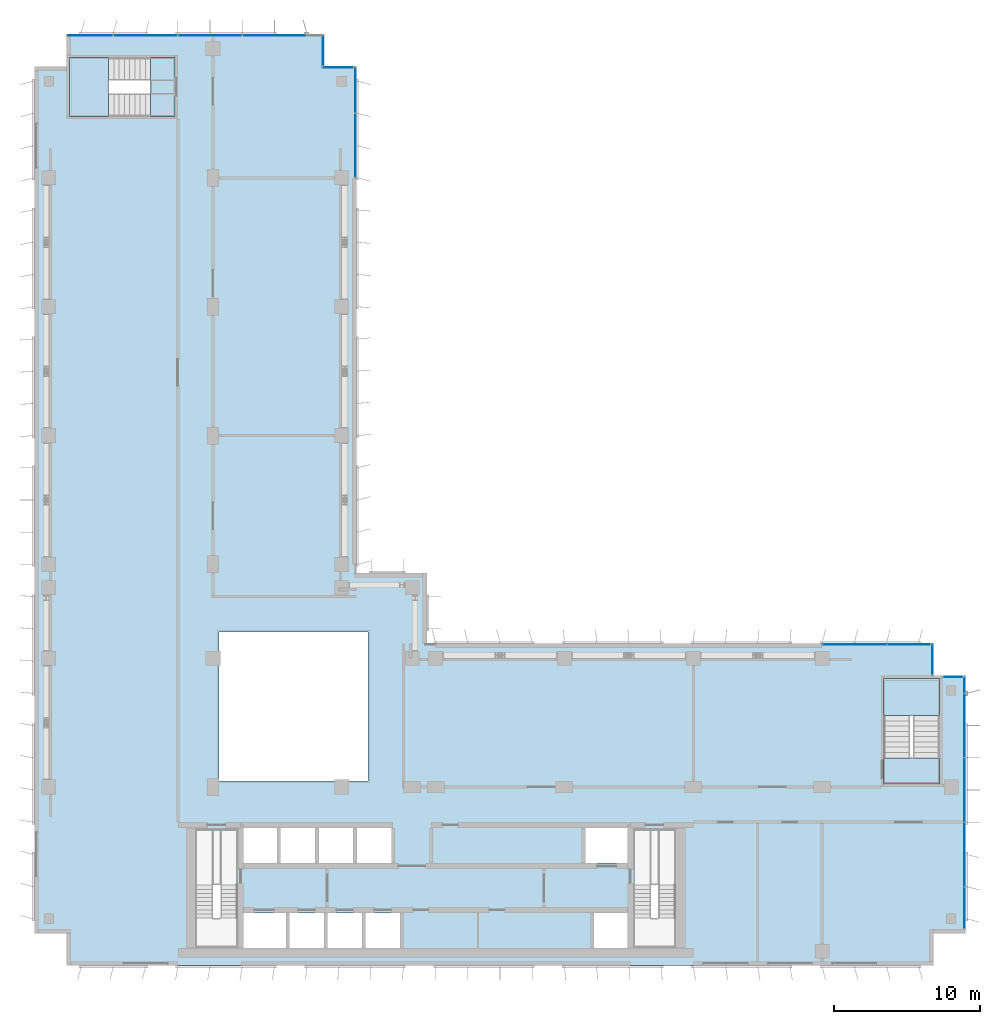
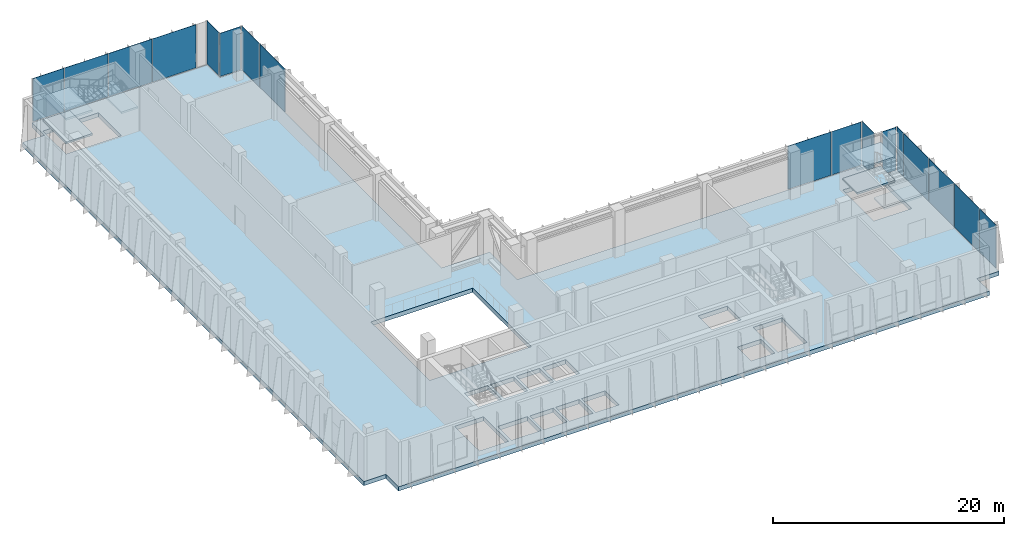
# One storey, part 10 of 17: 17 plates, 7 slabs, 10 elements without a shape of their own.
"""IFC4 building model written with IfcOpenShell, lengths in metres."""

from ifc_helpers import new_model, si_unit, direction, frame, origin, origin_2d, place, context, subcontext, project, spatial, polyline, rectangle, outline, extrude, source, transform, mapped, material, layer, layer_set, type_object, element, aggregate, save


model = new_model("IFC4")

# Units and contexts
model_context = context("Model", 3, precision=1e-05, world=origin(), true_north=direction((0.0, 1.0)))
body_context = subcontext(model_context, "Body", "Model", "MODEL_VIEW")
ifc_project = project(units=[si_unit("LENGTHUNIT", "METRE"), si_unit("AREAUNIT", "SQUARE_METRE"), si_unit("VOLUMEUNIT", "CUBIC_METRE"), si_unit("PLANEANGLEUNIT", "RADIAN"), si_unit("MASSUNIT", "GRAM", prefix="KILO")], contexts=[model_context])

# Site, building, storey
site_placement = place(None, origin())
site = spatial("IfcSite", under=ifc_project, at=site_placement, CompositionType="ELEMENT")
building_placement = place(site_placement, origin())
building = spatial("IfcBuilding", under=site, at=building_placement, Name="Kemantara Hotel Tower", CompositionType="ELEMENT")
storey_placement = place(building_placement, frame((0.0, 0.0, 193.800048828125)))
storey = spatial("IfcBuildingStorey", under=building, at=storey_placement, Name="L48", CompositionType="ELEMENT", Elevation=193.800048828125)

# Slab
ifc_material_1 = material(Name="Concrete fc 40 MPa", Category="concrete")
ifc_layer_1 = layer(ifc_material_1, 0.449951171875)
ifc_layer_set_1 = layer_set([ifc_layer_1], Name="Concrete fc 40 MPa")
slab_type_1 = type_object("IfcSlabType", Name="REINFORCED DIAPHRAGM SLAB 450", PredefinedType="FLOOR", material=ifc_layer_set_1)
slab_1_placement = place(storey_placement, frame((0.0, 0.0, -0.449951171875)))
element("IfcSlab", 1, at=slab_1_placement, inside=storey, type_object=slab_type_1, Name="FLOOR SLAB L48", PredefinedType="FLOOR", context=body_context, shape_type="SweptSolid", body=[
    extrude(outline(polyline([(22.0, 26.800048828125), (22.0, 61.39990234375), (19.800048828125, 61.39990234375), (19.800048828125, 63.60009765625), (2.199951171875, 63.60009765625), (2.199951171875, 61.39990234375), (0.0, 61.39990234375), (0.0, 2.199951171875), (2.199951171875, 2.199951171875), (2.199951171875, 0.0), (61.39990234375, 0.0), (61.39990234375, 2.199951171875), (63.60009765625, 2.199951171875), (63.60009765625, 19.800048828125), (61.39990234375, 19.800048828125), (61.39990234375, 22.0), (26.800048828125, 22.0), (26.800048828125, 26.800048828125), (22.0, 26.800048828125)]), holes=[polyline([(17.175048828125, 3.60009765625), (17.175048828125, 1.199951171875), (14.22509765625, 1.199951171875), (14.22509765625, 3.60009765625), (17.175048828125, 3.60009765625)]), polyline([(19.77490234375, 1.199951171875), (17.425048828125, 1.199951171875), (17.425048828125, 3.60009765625), (19.77490234375, 3.60009765625), (19.77490234375, 1.199951171875)]), polyline([(11.0, 1.199951171875), (11.0, 5.49951171875), (13.89990234375, 5.49951171875), (13.89990234375, 1.199951171875), (11.0, 1.199951171875)]), polyline([(16.574951171875, 7.0), (14.22509765625, 7.0), (14.22509765625, 9.39990234375), (16.574951171875, 9.39990234375), (16.574951171875, 7.0)]), polyline([(19.175048828125, 7.0), (16.824951171875, 7.0), (16.824951171875, 9.39990234375), (19.175048828125, 9.39990234375), (19.175048828125, 7.0)]), polyline([(21.77490234375, 7.0), (19.425048828125, 7.0), (19.425048828125, 9.39990234375), (21.77490234375, 9.39990234375), (21.77490234375, 7.0)]), polyline([(22.800048828125, 12.60009765625), (12.60009765625, 12.60009765625), (12.60009765625, 22.800048828125), (22.800048828125, 22.800048828125), (22.800048828125, 12.60009765625)]), polyline([(2.39990234375, 62.0), (7.949462890625, 62.0), (7.949462890625, 58.0), (2.39990234375, 58.0), (2.39990234375, 62.0)]), polyline([(22.375, 1.199951171875), (20.02490234375, 1.199951171875), (20.02490234375, 3.60009765625), (22.375, 3.60009765625), (22.375, 1.199951171875)]), polyline([(24.97509765625, 1.199951171875), (22.625, 1.199951171875), (22.625, 3.60009765625), (24.97509765625, 3.60009765625), (24.97509765625, 1.199951171875)]), polyline([(40.574951171875, 1.199951171875), (38.22509765625, 1.199951171875), (38.22509765625, 3.60009765625), (40.574951171875, 3.60009765625), (40.574951171875, 1.199951171875)]), polyline([(40.89990234375, 1.199951171875), (40.89990234375, 5.49951171875), (43.800048828125, 5.49951171875), (43.800048828125, 1.199951171875), (40.89990234375, 1.199951171875)]), polyline([(24.375, 7.0), (22.02490234375, 7.0), (22.02490234375, 9.39990234375), (24.375, 9.39990234375), (24.375, 7.0)]), polyline([(40.574951171875, 7.0), (37.625, 7.0), (37.625, 9.39990234375), (40.574951171875, 9.39990234375), (40.574951171875, 7.0)]), polyline([(61.800048828125, 19.60009765625), (61.800048828125, 14.20068359375), (58.0, 14.20068359375), (58.0, 19.60009765625), (61.800048828125, 19.60009765625)])]), origin(), (0.0, 0.0, 1.0), 0.449951171875),
])

# Stair, slabs
stair_type_1 = type_object("IfcStairType", Name="Stair 1800 wide 36 risers of 139 x 360 mm", PredefinedType="HALF_TURN_STAIR", material=ifc_material_1)
stair_1_placement = place(storey_placement, origin())
stair_1 = element("IfcStair", 2, at=stair_1_placement, inside=storey, type_object=stair_type_1, Name="L48 Exit stair ST3", PredefinedType="HALF_TURN_STAIR")
ifc_layer_2 = layer(ifc_material_1, 0.199951171875)
ifc_layer_set_2 = layer_set([ifc_layer_2], Name="Concrete fc 40 MPa")
slab_type_2 = type_object("IfcSlabType", Name="Stair landing 200 mm", PredefinedType="LANDING", material=ifc_layer_set_2)
slab_2_placement = place(storey_placement, frame((0.0, 0.0, 1.050048828125)))
slab_2 = element("IfcSlab", 3, at=slab_2_placement, type_object=slab_type_2, Name="ST3 landing 1", PredefinedType="LANDING", context=body_context, shape_type="SweptSolid", body=[
    extrude(outline(polyline([(61.800048828125, 17.080078125), (61.800048828125, 19.60009765625), (58.0, 19.60009765625), (58.0, 17.080078125), (61.800048828125, 17.080078125)])), origin(), (0.0, 0.0, 1.0), 0.199951171875),
])
slab_3_placement = place(storey_placement, frame((0.0, 0.0, 2.300048828125)))
slab_3 = element("IfcSlab", 4, at=slab_3_placement, type_object=slab_type_2, Name="ST3 landing 2", PredefinedType="LANDING", context=body_context, shape_type="SweptSolid", body=[
    extrude(outline(polyline([(61.800048828125, 12.39990234375), (61.800048828125, 14.199951171875), (58.0, 14.199951171875), (58.0, 12.39990234375), (61.800048828125, 12.39990234375)])), origin(), (0.0, 0.0, 1.0), 0.199951171875),
])
slab_4_placement = place(storey_placement, frame((0.0, 0.0, 3.550048828125)))
slab_4 = element("IfcSlab", 5, at=slab_4_placement, type_object=slab_type_2, Name="ST3 landing 3", PredefinedType="LANDING", context=body_context, shape_type="SweptSolid", body=[
    extrude(outline(polyline([(61.800048828125, 17.080078125), (61.800048828125, 19.60009765625), (58.0, 19.60009765625), (58.0, 17.080078125), (61.800048828125, 17.080078125)])), origin(), (0.0, 0.0, 1.0), 0.199951171875),
])
aggregate(stair_1, [slab_2, slab_3, slab_4])

stair_type_2 = type_object("IfcStairType", Name="Stair 1550 wide 36 risers of 139 x 360 mm", PredefinedType="HALF_TURN_STAIR", material=ifc_material_1)
stair_2_placement = place(storey_placement, origin())
stair_2 = element("IfcStair", 6, at=stair_2_placement, inside=storey, type_object=stair_type_2, Name="L48 Exit stair ST4", PredefinedType="HALF_TURN_STAIR")
slab_5_placement = place(storey_placement, frame((0.0, 0.0, 1.050048828125)))
slab_5 = element("IfcSlab", 7, at=slab_5_placement, type_object=slab_type_2, Name="ST4 landing 1", PredefinedType="LANDING", context=body_context, shape_type="SweptSolid", body=[
    extrude(outline(polyline([(5.070068359375, 62.0), (2.39990234375, 62.0), (2.39990234375, 58.0), (5.070068359375, 58.0), (5.070068359375, 62.0)])), origin(), (0.0, 0.0, 1.0), 0.199951171875),
])
slab_6_placement = place(storey_placement, frame((0.0, 0.0, 2.300048828125)))
slab_6 = element("IfcSlab", 8, at=slab_6_placement, type_object=slab_type_2, Name="ST4 landing 2", PredefinedType="LANDING", context=body_context, shape_type="SweptSolid", body=[
    extrude(outline(polyline([(9.60009765625, 62.0), (7.949951171875, 62.0), (7.949951171875, 58.0), (9.60009765625, 58.0), (9.60009765625, 62.0)])), origin(), (0.0, 0.0, 1.0), 0.199951171875),
])
slab_7_placement = place(storey_placement, frame((0.0, 0.0, 3.550048828125)))
slab_7 = element("IfcSlab", 9, at=slab_7_placement, type_object=slab_type_2, Name="ST4 landing 3", PredefinedType="LANDING", context=body_context, shape_type="SweptSolid", body=[
    extrude(outline(polyline([(5.070068359375, 62.0), (2.39990234375, 62.0), (2.39990234375, 58.0), (5.070068359375, 58.0), (5.070068359375, 62.0)])), origin(), (0.0, 0.0, 1.0), 0.199951171875),
])
aggregate(stair_2, [slab_5, slab_6, slab_7])

# Curtain wall, plate
ifc_material_2 = material(Name="Low-E tinted double insulated glass 36 mm", Category="glass")
curtain_wall_type = type_object("IfcCurtainWallType", Name="TOWER CURTAIN WALL, FRONT FACES", PredefinedType="USERDEFINED", material=ifc_material_2)
curtain_wall_1_placement = place(storey_placement, origin())
curtain_wall_1 = element("IfcCurtainWall", 10, at=curtain_wall_1_placement, inside=storey, type_object=curtain_wall_type, Name="CW4 L48 T3-R11-1", ObjectType="TOWER CURTAIN WALL, FRONT FACES", PredefinedType="USERDEFINED")
ifc_layer_3 = layer(ifc_material_2, 0.035888671875)
ifc_layer_set_3 = layer_set([ifc_layer_3], Name="Low-E tinted double insulated glass 36 mm")
plate_type = type_object("IfcPlateType", Name="TOWER CURTAIN WALL, FRONT FACES PANEL", PredefinedType="CURTAIN_PANEL", material=ifc_layer_set_3)
shared_shape_1 = source(origin(), body_context, "Body", "SweptSolid", [
    extrude(rectangle(XDim=2.81005859375, YDim=0.035888671875, at=origin_2d()), origin(), (0.0, 0.0, 1.0), 4.580078125),
])
plate_1_placement = place(storey_placement, frame((63.52490234375, 3.965087890625, 0.119873046875), z_axis=(0.0, 0.0, 1.0), x_axis=(0.0, 1.0, 0.0)))
plate_1 = element("IfcPlate", 11, at=plate_1_placement, type_object=plate_type, Name="CW4 glass panel T3-R11-1.1", PredefinedType="CURTAIN_PANEL", context=body_context, shape_type="MappedRepresentation", body=[
    mapped(shared_shape_1, transform((0.0, 0.0, 0.0))),
])

# Curtain wall, plates
curtain_wall_2_placement = place(storey_placement, origin())
curtain_wall_2 = element("IfcCurtainWall", 12, at=curtain_wall_2_placement, inside=storey, type_object=curtain_wall_type, Name="CW4 L48 T3-R02-1", ObjectType="TOWER CURTAIN WALL, FRONT FACES", PredefinedType="USERDEFINED")
shared_shape_2 = source(origin(), body_context, "Body", "SweptSolid", [
    extrude(rectangle(XDim=4.340087890625, YDim=0.035888671875, at=origin_2d()), origin(), (0.0, 0.0, 1.0), 4.580078125),
])
plate_2_placement = place(storey_placement, frame((16.39990234375, 63.52490234375, 0.119873046875), z_axis=(0.0, 0.0, 1.0), x_axis=(-1.0, 0.0, 0.0)))
plate_2 = element("IfcPlate", 13, at=plate_2_placement, type_object=plate_type, Name="CW4 glass panel T3-R02-1.2", PredefinedType="CURTAIN_PANEL", context=body_context, shape_type="MappedRepresentation", body=[
    mapped(shared_shape_2, transform((0.0, 0.0, 0.0))),
])
plate_3_placement = place(storey_placement, frame((12.0, 63.52490234375, 0.119873046875), z_axis=(0.0, 0.0, 1.0), x_axis=(-1.0, 0.0, 0.0)))
plate_3 = element("IfcPlate", 14, at=plate_3_placement, type_object=plate_type, Name="CW4 glass panel T3-R02-1.3", PredefinedType="CURTAIN_PANEL", context=body_context, shape_type="MappedRepresentation", body=[
    mapped(shared_shape_2, transform((0.0, 0.0, 0.0))),
])
plate_4_placement = place(storey_placement, frame((7.60009765625, 63.52490234375, 0.119873046875), z_axis=(0.0, 0.0, 1.0), x_axis=(-1.0, 0.0, 0.0)))
plate_4 = element("IfcPlate", 15, at=plate_4_placement, type_object=plate_type, Name="CW4 glass panel T3-R02-1.4", PredefinedType="CURTAIN_PANEL", context=body_context, shape_type="MappedRepresentation", body=[
    mapped(shared_shape_2, transform((0.0, 0.0, 0.0))),
])

# Plate
plate_5_placement = place(storey_placement, frame((63.52490234375, 7.60009765625, 0.119873046875), z_axis=(0.0, 0.0, 1.0), x_axis=(0.0, 1.0, 0.0)))
plate_5 = element("IfcPlate", 16, at=plate_5_placement, type_object=plate_type, Name="CW4 glass panel T3-R11-1.2", PredefinedType="CURTAIN_PANEL", context=body_context, shape_type="MappedRepresentation", body=[
    mapped(shared_shape_2, transform((0.0, 0.0, 0.0))),
])

plate_6_placement = place(storey_placement, frame((63.52490234375, 12.0, 0.119873046875), z_axis=(0.0, 0.0, 1.0), x_axis=(0.0, 1.0, 0.0)))
plate_6 = element("IfcPlate", 17, at=plate_6_placement, type_object=plate_type, Name="CW4 glass panel T3-R11-1.3", PredefinedType="CURTAIN_PANEL", context=body_context, shape_type="MappedRepresentation", body=[
    mapped(shared_shape_2, transform((0.0, 0.0, 0.0))),
])

plate_7_placement = place(storey_placement, frame((63.52490234375, 16.39990234375, 0.119873046875), z_axis=(0.0, 0.0, 1.0), x_axis=(0.0, 1.0, 0.0)))
plate_7 = element("IfcPlate", 18, at=plate_7_placement, type_object=plate_type, Name="CW4 glass panel T3-R11-1.4", PredefinedType="CURTAIN_PANEL", context=body_context, shape_type="MappedRepresentation", body=[
    mapped(shared_shape_2, transform((0.0, 0.0, 0.0))),
])

# Curtain wall, plate
curtain_wall_3_placement = place(storey_placement, origin())
curtain_wall_3 = element("IfcCurtainWall", 19, at=curtain_wall_3_placement, inside=storey, type_object=curtain_wall_type, Name="CW4 L48 T3-R14-1", ObjectType="TOWER CURTAIN WALL, FRONT FACES", PredefinedType="USERDEFINED")
plate_8_placement = place(storey_placement, frame((56.0, 21.925048828125, 0.119873046875), z_axis=(0.0, 0.0, 1.0), x_axis=(-1.0, 0.0, 0.0)))
plate_8 = element("IfcPlate", 20, at=plate_8_placement, type_object=plate_type, Name="CW4 glass panel T3-R14-1.2", PredefinedType="CURTAIN_PANEL", context=body_context, shape_type="MappedRepresentation", body=[
    mapped(shared_shape_2, transform((0.0, 0.0, 0.0))),
])

curtain_wall_4_placement = place(storey_placement, origin())
curtain_wall_4 = element("IfcCurtainWall", 21, at=curtain_wall_4_placement, inside=storey, type_object=curtain_wall_type, Name="CW4 L48 T3-R17-2", ObjectType="TOWER CURTAIN WALL, FRONT FACES", PredefinedType="USERDEFINED")
plate_9_placement = place(storey_placement, frame((21.925048828125, 56.0, 0.119873046875), z_axis=(0.0, 0.0, 1.0), x_axis=(0.0, 1.0, 0.0)))
plate_9 = element("IfcPlate", 22, at=plate_9_placement, type_object=plate_type, Name="CW4 glass panel T3-R17-2.1", PredefinedType="CURTAIN_PANEL", context=body_context, shape_type="MappedRepresentation", body=[
    mapped(shared_shape_2, transform((0.0, 0.0, 0.0))),
])

# Plate
shared_shape_3 = source(origin(), body_context, "Body", "SweptSolid", [
    extrude(rectangle(XDim=2.9599609375, YDim=0.035888671875, at=origin_2d()), origin(), (0.0, 0.0, 1.0), 4.580078125),
])
plate_10_placement = place(storey_placement, frame((59.7099609375, 21.925048828125, 0.119873046875), z_axis=(0.0, 0.0, 1.0), x_axis=(-1.0, 0.0, 0.0)))
plate_10 = element("IfcPlate", 23, at=plate_10_placement, type_object=plate_type, Name="CW4 glass panel T3-R14-1.1", PredefinedType="CURTAIN_PANEL", context=body_context, shape_type="MappedRepresentation", body=[
    mapped(shared_shape_3, transform((0.0, 0.0, 0.0))),
])

aggregate(curtain_wall_3, [plate_10, plate_8])

shared_shape_4 = source(origin(), body_context, "Body", "SweptSolid", [
    extrude(rectangle(XDim=3.110107421875, YDim=0.035888671875, at=origin_2d()), origin(), (0.0, 0.0, 1.0), 4.580078125),
])
plate_11_placement = place(storey_placement, frame((3.81494140625, 63.52490234375, 0.119873046875), z_axis=(0.0, 0.0, 1.0), x_axis=(-1.0, 0.0, 0.0)))
plate_11 = element("IfcPlate", 24, at=plate_11_placement, type_object=plate_type, Name="CW4 glass panel T3-R02-1.5", PredefinedType="CURTAIN_PANEL", context=body_context, shape_type="MappedRepresentation", body=[
    mapped(shared_shape_4, transform((0.0, 0.0, 0.0))),
])

aggregate(curtain_wall_2, [plate_2, plate_3, plate_4, plate_11])

plate_12_placement = place(storey_placement, frame((21.925048828125, 59.784912109375, 0.119873046875), z_axis=(0.0, 0.0, 1.0), x_axis=(0.0, 1.0, 0.0)))
plate_12 = element("IfcPlate", 25, at=plate_12_placement, type_object=plate_type, Name="CW4 glass panel T3-R17-2.2", PredefinedType="CURTAIN_PANEL", context=body_context, shape_type="MappedRepresentation", body=[
    mapped(shared_shape_4, transform((0.0, 0.0, 0.0))),
])

aggregate(curtain_wall_4, [plate_9, plate_12])

# Curtain wall, plate
curtain_wall_5_placement = place(storey_placement, origin())
curtain_wall_5 = element("IfcCurtainWall", 26, at=curtain_wall_5_placement, inside=storey, type_object=curtain_wall_type, Name="CW4 L48 T3-R00-1", ObjectType="TOWER CURTAIN WALL, FRONT FACES", PredefinedType="USERDEFINED")
shared_shape_5 = source(origin(), body_context, "Body", "SweptSolid", [
    extrude(rectangle(XDim=2.080078125, YDim=0.035888671875, at=origin_2d()), origin(), (0.0, 0.0, 1.0), 4.580078125),
])
plate_13_placement = place(storey_placement, frame((20.75, 61.324951171875, 0.119873046875), z_axis=(0.0, 0.0, 1.0), x_axis=(-1.0, 0.0, 0.0)))
plate_13 = element("IfcPlate", 27, at=plate_13_placement, type_object=plate_type, Name="CW4 glass panel T3-R00-1.1", PredefinedType="CURTAIN_PANEL", context=body_context, shape_type="MappedRepresentation", body=[
    mapped(shared_shape_5, transform((0.0, 0.0, 0.0))),
])
aggregate(curtain_wall_5, [plate_13])

curtain_wall_6_placement = place(storey_placement, origin())
curtain_wall_6 = element("IfcCurtainWall", 28, at=curtain_wall_6_placement, inside=storey, type_object=curtain_wall_type, Name="CW4 L48 T3-R01-1", ObjectType="TOWER CURTAIN WALL, FRONT FACES", PredefinedType="USERDEFINED")
plate_14_placement = place(storey_placement, frame((19.72509765625, 62.5, 0.119873046875), z_axis=(0.0, 0.0, 1.0), x_axis=(0.0, 1.0, 0.0)))
plate_14 = element("IfcPlate", 29, at=plate_14_placement, type_object=plate_type, Name="CW4 glass panel T3-R01-1.1", PredefinedType="CURTAIN_PANEL", context=body_context, shape_type="MappedRepresentation", body=[
    mapped(shared_shape_5, transform((0.0, 0.0, 0.0))),
])
aggregate(curtain_wall_6, [plate_14])

curtain_wall_7_placement = place(storey_placement, origin())
curtain_wall_7 = element("IfcCurtainWall", 30, at=curtain_wall_7_placement, inside=storey, type_object=curtain_wall_type, Name="CW4 L48 T3-R13-1", ObjectType="TOWER CURTAIN WALL, FRONT FACES", PredefinedType="USERDEFINED")
plate_15_placement = place(storey_placement, frame((61.324951171875, 20.89990234375, 0.119873046875), z_axis=(0.0, 0.0, 1.0), x_axis=(0.0, 1.0, 0.0)))
plate_15 = element("IfcPlate", 31, at=plate_15_placement, type_object=plate_type, Name="CW4 glass panel T3-R13-1.1", PredefinedType="CURTAIN_PANEL", context=body_context, shape_type="MappedRepresentation", body=[
    mapped(shared_shape_5, transform((0.0, 0.0, 0.0))),
])
aggregate(curtain_wall_7, [plate_15])

# Plate
shared_shape_6 = source(origin(), body_context, "Body", "SweptSolid", [
    extrude(rectangle(XDim=1.110107421875, YDim=0.035888671875, at=origin_2d()), origin(), (0.0, 0.0, 1.0), 4.580078125),
])
plate_16_placement = place(storey_placement, frame((63.52490234375, 19.18505859375, 0.119873046875), z_axis=(0.0, 0.0, 1.0), x_axis=(0.0, 1.0, 0.0)))
plate_16 = element("IfcPlate", 32, at=plate_16_placement, type_object=plate_type, Name="CW4 glass panel T3-R11-1.5", PredefinedType="CURTAIN_PANEL", context=body_context, shape_type="MappedRepresentation", body=[
    mapped(shared_shape_6, transform((0.0, 0.0, 0.0))),
])

aggregate(curtain_wall_1, [plate_1, plate_5, plate_6, plate_7, plate_16])

# Curtain wall, plate
curtain_wall_8_placement = place(storey_placement, origin())
curtain_wall_8 = element("IfcCurtainWall", 33, at=curtain_wall_8_placement, inside=storey, type_object=curtain_wall_type, Name="CW4 L48 T3-R12-1", ObjectType="TOWER CURTAIN WALL, FRONT FACES", PredefinedType="USERDEFINED")
shared_shape_7 = source(origin(), body_context, "Body", "SweptSolid", [
    extrude(rectangle(XDim=1.330078125, YDim=0.035888671875, at=origin_2d()), origin(), (0.0, 0.0, 1.0), 4.580078125),
])
plate_17_placement = place(storey_placement, frame((62.72509765625, 19.72509765625, 0.119873046875), z_axis=(0.0, 0.0, 1.0), x_axis=(-1.0, 0.0, 0.0)))
plate_17 = element("IfcPlate", 34, at=plate_17_placement, type_object=plate_type, Name="CW4 glass panel T3-R12-1.1", PredefinedType="CURTAIN_PANEL", context=body_context, shape_type="MappedRepresentation", body=[
    mapped(shared_shape_7, transform((0.0, 0.0, 0.0))),
])
aggregate(curtain_wall_8, [plate_17])

save(model, "model.ifc")
